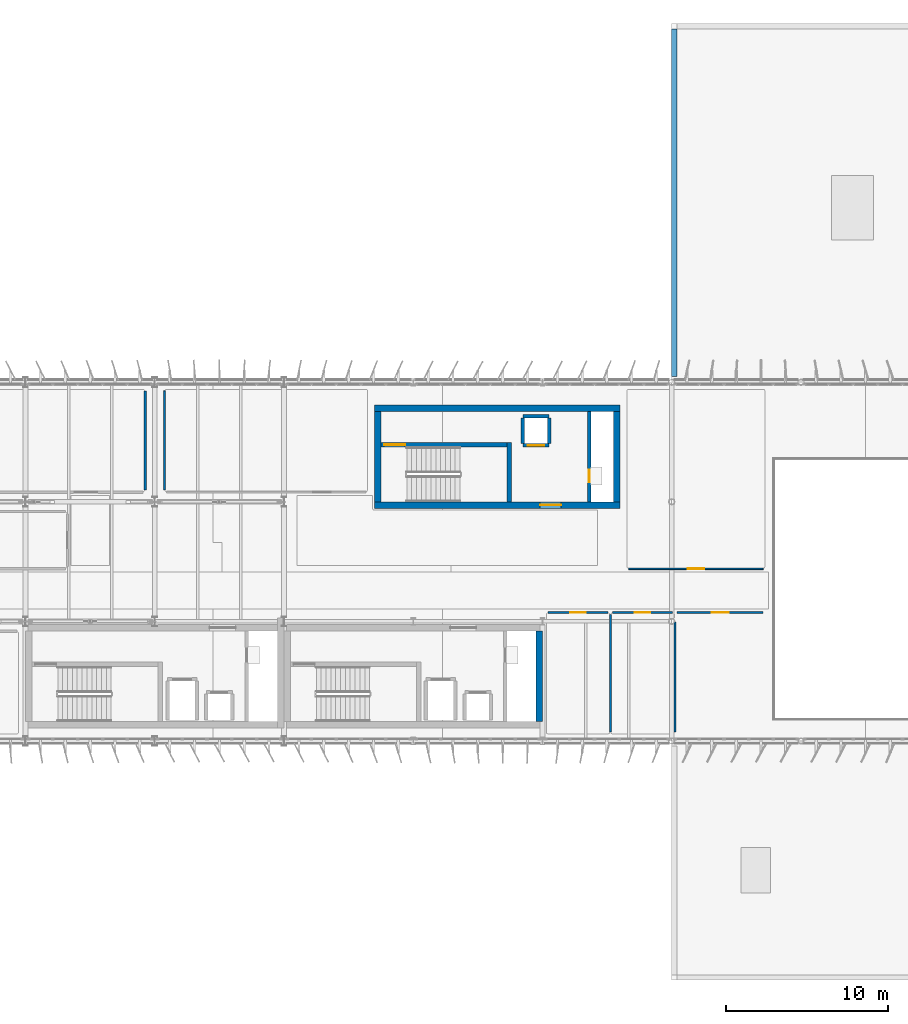
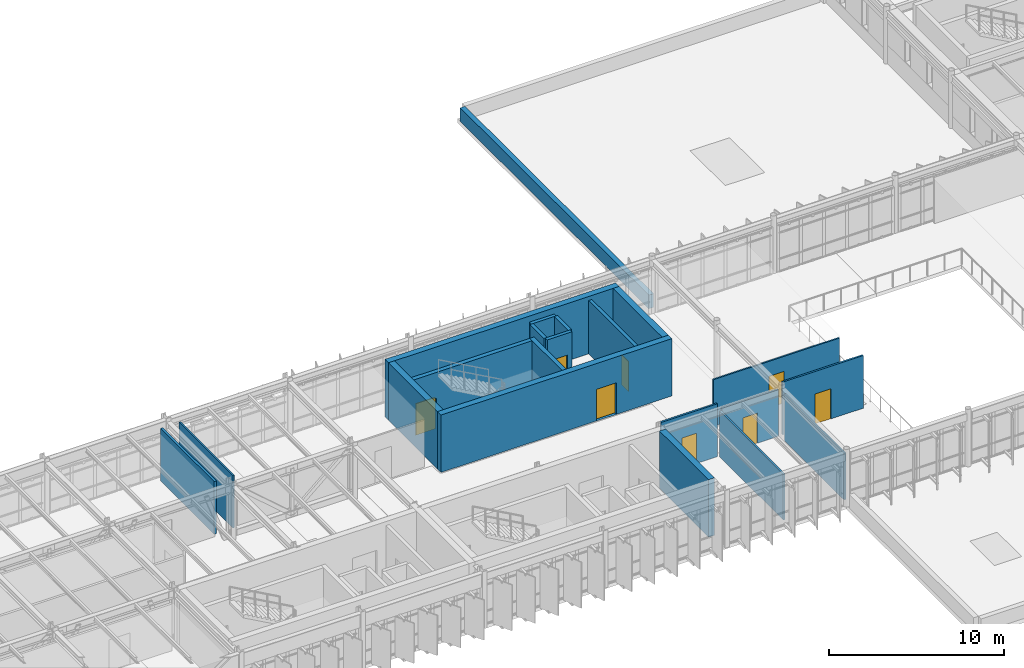
# One storey, part 38 of 56: 21 walls, 8 doors, 8 openings.
"""IFC4 building model written with IfcOpenShell, lengths in metres."""

from ifc_helpers import new_model, si_unit, direction, frame, frame_2d, origin, place, context, subcontext, project, spatial, rectangle, extrude, material, layer, layer_set, type_object, element, fill, save


model = new_model("IFC4")

# Units and contexts
model_context = context("Model", 3, precision=1e-05, world=origin(), true_north=direction((0.0, 1.0)))
body_context = subcontext(model_context, "Body", "Model", "MODEL_VIEW")
ifc_project = project(units=[si_unit("LENGTHUNIT", "METRE"), si_unit("AREAUNIT", "SQUARE_METRE"), si_unit("VOLUMEUNIT", "CUBIC_METRE"), si_unit("PLANEANGLEUNIT", "RADIAN"), si_unit("MASSUNIT", "GRAM", prefix="KILO")], contexts=[model_context])

# Site, building, storey
site_placement = place(None, origin())
site = spatial("IfcSite", under=ifc_project, at=site_placement, CompositionType="ELEMENT")
building_placement = place(site_placement, origin())
building = spatial("IfcBuilding", under=site, at=building_placement, Name="Valkorina Park Police Headquarters", CompositionType="ELEMENT")
storey_placement = place(building_placement, frame((0.0, 0.0, 14.10009765625)))
storey = spatial("IfcBuildingStorey", under=building, at=storey_placement, Name="L04", CompositionType="ELEMENT", Elevation=14.10009765625)

# Wall
ifc_material_1 = material(Name="Acoustic mineral board")
ifc_layer_1 = layer(ifc_material_1, 0.14990234375)
ifc_layer_set_1 = layer_set([ifc_layer_1], Name="Acoustic mineral board")
wall_type_1 = type_object("IfcWallType", Name="WL-ACOUST-150-EI30", PredefinedType="PARTITIONING", material=ifc_layer_set_1)
wall_1_placement = place(storey_placement, frame((24.199951171875, 52.5400390625, 0.0), z_axis=(0.0, 0.0, 1.0), x_axis=(0.0, 1.0, 0.0)))
element("IfcWall", 1, at=wall_1_placement, inside=storey, type_object=wall_type_1, Name="L04 Interior Partition 0193 (L04-V5-CANT-N)", PredefinedType="PARTITIONING", context=body_context, shape_type="SweptSolid", body=[
    extrude(rectangle(XDim=6.119873046875, YDim=0.14990234375, at=frame_2d((3.06005859375, 0.0))), origin(), (0.0, 0.0, 1.0), 3.669921875),
])

# Wall, opening, door
ifc_material_2 = material(Name="Autoclaved aerated concrete masonry", Category="masonry")
ifc_layer_2 = layer(ifc_material_2, 0.219970703125)
ifc_layer_set_2 = layer_set([ifc_layer_2], Name="Autoclaved aerated concrete masonry")
wall_type_2 = type_object("IfcWallType", Name="WL-CHASE-220-EI60", PredefinedType="PLUMBINGWALL", material=ifc_layer_set_2)
wall_2_placement = place(storey_placement, frame((47.590087890625, 55.2900390625, 0.0), z_axis=(0.0, 0.0, 1.0), x_axis=(1.0, 0.0, 0.0)))
wall_2 = element("IfcWall", 2, at=wall_2_placement, inside=storey, type_object=wall_type_2, Name="Lift LF-05 L04 Shaft Front Wall", PredefinedType="PLUMBINGWALL", context=body_context, shape_type="SweptSolid", body=[
    extrude(rectangle(XDim=1.619873046875, YDim=0.219970703125, at=frame_2d((0.81005859375, 0.0))), origin(), (0.0, 0.0, 1.0), 3.719970703125),
])
opening_1_placement = place(wall_2_placement, frame((0.31005859375, 0.0, 0.0)))
opening_1 = element("IfcOpeningElement", 3, at=opening_1_placement, cuts=wall_2, Name="Opening LD-02", PredefinedType="OPENING", context=body_context, shape_type="SweptSolid", body=[
    extrude(rectangle(XDim=1.0, YDim=2.199951171875, at=frame_2d((0.5, 1.10009765625))), frame((0.0, 0.1201171875, 0.0), z_axis=(0.0, -1.0, 0.0), x_axis=(1.0, 0.0, 0.0)), (0.0, 0.0, 1.0), 0.239990234375),
])
ifc_material_3 = material(Name="Stainless steel EN 1.4404", Category="steel")
ifc_layer_3 = layer(ifc_material_3, 0.050048828125)
ifc_layer_set_3 = layer_set([ifc_layer_3], Name="Stainless steel EN 1.4404")
door_type_1 = type_object("IfcDoorType", Name="DR-LIFT-PAX-1000x2200", OperationType="NOTDEFINED", PredefinedType="DOOR", material=ifc_layer_set_3)
door_1_placement = place(opening_1_placement, origin())
door_1 = element("IfcDoor", 4, at=door_1_placement, inside=storey, type_object=door_type_1, Name="Lift Landing Door LF-05-L04", OperationType="DOUBLE_DOOR_SLIDING", OverallHeight=2.199951171875, OverallWidth=1.0, PredefinedType="DOOR", context=body_context, shape_type="SweptSolid", body=[
    extrude(rectangle(XDim=1.0, YDim=2.199951171875, at=frame_2d((0.5, 1.10009765625))), frame((0.0, 0.02490234375, 0.0), z_axis=(0.0, -1.0, 0.0), x_axis=(1.0, 0.0, 0.0)), (0.0, 0.0, 1.0), 0.050048828125),
])
fill(opening_1, door_1)

# Walls
wall_3_placement = place(storey_placement, frame((47.590087890625, 57.110107421875, 0.0), z_axis=(0.0, 0.0, 1.0), x_axis=(1.0, 0.0, 0.0)))
element("IfcWall", 5, at=wall_3_placement, inside=storey, type_object=wall_type_2, Name="Lift LF-05 L04 Shaft Back Wall", PredefinedType="PLUMBINGWALL", context=body_context, shape_type="SweptSolid", body=[
    extrude(rectangle(XDim=1.619873046875, YDim=0.219970703125, at=frame_2d((0.81005859375, 0.0))), origin(), (0.0, 0.0, 1.0), 3.719970703125),
])
for number, where, z_axis, x_axis, name in (
    (6, (47.590087890625, 55.39990234375, 0.0), (0.0, 0.0, 1.0), (0.0, 1.0, 0.0), "Lift LF-05 L04 Shaft Side Wall W"),
    (7, (49.2099609375, 55.39990234375, 0.0), (0.0, 0.0, 1.0), (0.0, 1.0, 0.0), "Lift LF-05 L04 Shaft Side Wall E"),
):
    element("IfcWall", number, at=place(storey_placement, frame(where, z_axis=z_axis, x_axis=x_axis)), inside=storey, type_object=wall_type_2, Name=name, PredefinedType="PLUMBINGWALL", context=body_context, shape_type="SweptSolid", body=[
        extrude(rectangle(XDim=1.60009765625, YDim=0.219970703125, at=frame_2d((0.800048828125, 0.0))), origin(), (0.0, 0.0, 1.0), 3.719970703125),
    ])

# Wall, opening, door
wall_4_placement = place(storey_placement, frame((51.68994140625, 51.800048828125, 0.0), z_axis=(0.0, 0.0, 1.0), x_axis=(0.0, 1.0, 0.0)))
wall_4 = element("IfcWall", 8, at=wall_4_placement, inside=storey, type_object=wall_type_2, Name="Core C3 L04 Riser Shaft West Wall", PredefinedType="PLUMBINGWALL", context=body_context, shape_type="SweptSolid", body=[
    extrude(rectangle(XDim=5.599853515625, YDim=0.219970703125, at=frame_2d((2.7998046875, 0.0))), origin(), (0.0, 0.0, 1.0), 3.719970703125),
])
opening_2_placement = place(wall_4_placement, frame((1.199951171875, 0.0, 0.0)))
opening_2 = element("IfcOpeningElement", 9, at=opening_2_placement, cuts=wall_4, Name="Opening ID-01", PredefinedType="OPENING", context=body_context, shape_type="SweptSolid", body=[
    extrude(rectangle(XDim=0.800048828125, YDim=2.10009765625, at=frame_2d((0.39990234375, 1.050048828125))), frame((0.0, 0.1201171875, 0.0), z_axis=(0.0, -1.0, 0.0), x_axis=(1.0, 0.0, 0.0)), (0.0, 0.0, 1.0), 0.239990234375),
])
ifc_material_4 = material(Name="Galvanized steel door leaf", Category="steel")
ifc_layer_4 = layer(ifc_material_4, 0.050048828125)
ifc_layer_set_4 = layer_set([ifc_layer_4], Name="Galvanized steel door leaf")
door_type_2 = type_object("IfcDoorType", Name="DR-INT-RISER-800x2100", OperationType="NOTDEFINED", PredefinedType="DOOR", material=ifc_layer_set_4)
door_2_placement = place(opening_2_placement, origin())
door_2 = element("IfcDoor", 10, at=door_2_placement, inside=storey, type_object=door_type_2, Name="Riser Shaft Access Door C3-L04", OperationType="SINGLE_SWING_RIGHT", OverallHeight=2.10009765625, OverallWidth=0.800048828125, PredefinedType="DOOR", context=body_context, shape_type="SweptSolid", body=[
    extrude(rectangle(XDim=0.800048828125, YDim=2.10009765625, at=frame_2d((0.39990234375, 1.050048828125))), frame((0.0, 0.02490234375, 0.0), z_axis=(0.0, -1.0, 0.0), x_axis=(1.0, 0.0, 0.0)), (0.0, 0.0, 1.0), 0.050048828125),
])
fill(opening_2, door_2)

# Wall
ifc_material_5 = material(Name="Concrete C40/50", Category="concrete")
ifc_layer_5 = layer(ifc_material_5, 0.39990234375)
ifc_layer_set_5 = layer_set([ifc_layer_5], Name="Concrete C40/50")
wall_type_3 = type_object("IfcWallType", Name="WL-CORE-400-REI180", PredefinedType="SHEAR", material=ifc_layer_set_5)
wall_5_placement = place(storey_placement, frame((48.60009765625, 38.199951171875, 0.0), z_axis=(0.0, 0.0, 1.0), x_axis=(0.0, 1.0, 0.0)))
element("IfcWall", 11, at=wall_5_placement, inside=storey, type_object=wall_type_3, Name="Core C2 L04 Shear Wall E", PredefinedType="SHEAR", context=body_context, shape_type="SweptSolid", body=[
    extrude(rectangle(XDim=5.60009765625, YDim=0.39990234375, at=frame_2d((2.800048828125, 0.0))), origin(), (0.0, 0.0, 1.0), 3.994873046875),
])

# Wall, opening, door
wall_6_placement = place(storey_placement, frame((38.39990234375, 51.60009765625, 0.0), z_axis=(0.0, 0.0, 1.0), x_axis=(1.0, 0.0, 0.0)))
wall_6 = element("IfcWall", 12, at=wall_6_placement, inside=storey, type_object=wall_type_3, Name="Core C3 L04 Shear Wall S", PredefinedType="SHEAR", context=body_context, shape_type="SweptSolid", body=[
    extrude(rectangle(XDim=15.2001953125, YDim=0.39990234375, at=frame_2d((7.60009765625, 0.0))), origin(), (0.0, 0.0, 1.0), 3.994873046875),
])
opening_3_placement = place(wall_6_placement, frame((10.25, 0.0, 0.0)))
opening_3 = element("IfcOpeningElement", 13, at=opening_3_placement, cuts=wall_6, Name="Opening FD-03", PredefinedType="OPENING", context=body_context, shape_type="SweptSolid", body=[
    extrude(rectangle(XDim=1.300048828125, YDim=2.199951171875, at=frame_2d((0.64990234375, 1.10009765625))), frame((0.0, 0.2099609375, 0.0), z_axis=(0.0, -1.0, 0.0), x_axis=(1.0, 0.0, 0.0)), (0.0, 0.0, 1.0), 0.419921875),
])
ifc_layer_6 = layer(ifc_material_4, 0.050048828125)
ifc_layer_set_6 = layer_set([ifc_layer_6], Name="Galvanized steel door leaf")
door_type_3 = type_object("IfcDoorType", Name="DR-FIRE-STAIR-1300x2200", OperationType="NOTDEFINED", PredefinedType="DOOR", material=ifc_layer_set_6)
door_3_placement = place(opening_3_placement, origin())
door_3 = element("IfcDoor", 14, at=door_3_placement, inside=storey, type_object=door_type_3, Name="Door D-L04-LBY-C3 (Core C3 Lobby Fire Door)", OperationType="SINGLE_SWING_LEFT", OverallHeight=2.199951171875, OverallWidth=1.300048828125, PredefinedType="DOOR", context=body_context, shape_type="SweptSolid", body=[
    extrude(rectangle(XDim=1.300048828125, YDim=2.199951171875, at=frame_2d((0.64990234375, 1.10009765625))), frame((0.0, 0.02490234375, 0.0), z_axis=(0.0, -1.0, 0.0), x_axis=(1.0, 0.0, 0.0)), (0.0, 0.0, 1.0), 0.050048828125),
])
fill(opening_3, door_3)

# Walls
wall_7_placement = place(storey_placement, frame((38.39990234375, 57.60009765625, 0.0), z_axis=(0.0, 0.0, 1.0), x_axis=(1.0, 0.0, 0.0)))
element("IfcWall", 15, at=wall_7_placement, inside=storey, type_object=wall_type_3, Name="Core C3 L04 Shear Wall N", PredefinedType="SHEAR", context=body_context, shape_type="SweptSolid", body=[
    extrude(rectangle(XDim=15.2001953125, YDim=0.39990234375, at=frame_2d((7.60009765625, 0.0))), origin(), (0.0, 0.0, 1.0), 3.994873046875),
])
for number, where, z_axis, x_axis, name in (
    (16, (38.60009765625, 51.800048828125, 0.0), (0.0, 0.0, 1.0), (0.0, 1.0, 0.0), "Core C3 L04 Shear Wall W"),
    (17, (53.39990234375, 51.800048828125, 0.0), (0.0, 0.0, 1.0), (0.0, 1.0, 0.0), "Core C3 L04 Shear Wall E"),
):
    element("IfcWall", number, at=place(storey_placement, frame(where, z_axis=z_axis, x_axis=x_axis)), inside=storey, type_object=wall_type_3, Name=name, PredefinedType="SHEAR", context=body_context, shape_type="SweptSolid", body=[
        extrude(rectangle(XDim=5.599853515625, YDim=0.39990234375, at=frame_2d((2.7998046875, 0.0))), origin(), (0.0, 0.0, 1.0), 3.994873046875),
    ])
ifc_material_6 = material(Name="Precast concrete C40/50", Category="concrete")
ifc_layer_7 = layer(ifc_material_6, 0.320068359375)
ifc_layer_set_7 = layer_set([ifc_layer_7], Name="Precast concrete C40/50")
wall_type_4 = type_object("IfcWallType", Name="WL-PARAPET-320", PredefinedType="PARAPET", material=ifc_layer_set_7)
wall_8_placement = place(storey_placement, frame((56.9599609375, 59.56201171875, 0.0), z_axis=(0.0, 0.0, 1.0), x_axis=(0.0, 1.0, 0.0)))
element("IfcWall", 18, at=wall_8_placement, inside=storey, type_object=wall_type_4, Name="L04 Precast Roof Parapet 8", PredefinedType="PARAPET", context=body_context, shape_type="SweptSolid", body=[
    extrude(rectangle(XDim=21.51806640625, YDim=0.320068359375, at=frame_2d((10.759033203125, 0.0))), origin(), (0.0, 0.0, 1.0), 0.949951171875),
])
ifc_material_7 = material(Name="Gypsum plasterboard")
ifc_layer_8 = layer(ifc_material_7, 0.10009765625)
ifc_layer_set_8 = layer_set([ifc_layer_8], Name="Gypsum plasterboard")
wall_type_5 = type_object("IfcWallType", Name="WL-PART-100", PredefinedType="PARTITIONING", material=ifc_layer_set_8)
wall_9_placement = place(storey_placement, frame((25.39990234375, 52.5400390625, 0.0), z_axis=(0.0, 0.0, 1.0), x_axis=(0.0, 1.0, 0.0)))
element("IfcWall", 19, at=wall_9_placement, inside=storey, type_object=wall_type_5, Name="L04 Interior Partition 0195 (L04-V5-02)", PredefinedType="PARTITIONING", context=body_context, shape_type="SweptSolid", body=[
    extrude(rectangle(XDim=6.119873046875, YDim=0.10009765625, at=frame_2d((3.06005859375, 0.0))), origin(), (0.0, 0.0, 1.0), 3.669921875),
])

# Wall, opening, door
wall_10_placement = place(storey_placement, frame((54.139892578125, 47.64990234375, 0.0), z_axis=(0.0, 0.0, 1.0), x_axis=(1.0, 0.0, 0.0)))
wall_10 = element("IfcWall", 20, at=wall_10_placement, inside=storey, type_object=wall_type_5, Name="L04 Interior Partition 0201 (L04-V5-04)", PredefinedType="PARTITIONING", context=body_context, shape_type="SweptSolid", body=[
    extrude(rectangle(XDim=8.320068359375, YDim=0.10009765625, at=frame_2d((4.16015625, 0.0))), origin(), (0.0, 0.0, 1.0), 3.244873046875),
])
opening_4_placement = place(wall_10_placement, frame((3.659912109375, 0.0, 0.0)))
opening_4 = element("IfcOpeningElement", 21, at=opening_4_placement, cuts=wall_10, Name="Opening ID-04", PredefinedType="OPENING", context=body_context, shape_type="SweptSolid", body=[
    extrude(rectangle(XDim=1.0, YDim=2.199951171875, at=frame_2d((0.5, 1.10009765625))), frame((0.0, 0.06005859375, 0.0), z_axis=(0.0, -1.0, 0.0), x_axis=(1.0, 0.0, 0.0)), (0.0, 0.0, 1.0), 0.1201171875),
])
ifc_material_8 = material(Name="Thermally broken aluminium AW-6060", Category="aluminium")
ifc_layer_9 = layer(ifc_material_8, 0.050048828125)
ifc_layer_set_9 = layer_set([ifc_layer_9], Name="Thermally broken aluminium AW-6060")
door_type_4 = type_object("IfcDoorType", Name="DR-INT-OFF-1000x2200", OperationType="NOTDEFINED", PredefinedType="DOOR", material=ifc_layer_set_9)
door_4_placement = place(opening_4_placement, origin())
door_4 = element("IfcDoor", 22, at=door_4_placement, inside=storey, type_object=door_type_4, Name="Door D-L04-I095 (L04-V5-04)", OperationType="SINGLE_SWING_RIGHT", OverallHeight=2.199951171875, OverallWidth=1.0, PredefinedType="DOOR", context=body_context, shape_type="SweptSolid", body=[
    extrude(rectangle(XDim=1.0, YDim=2.199951171875, at=frame_2d((0.5, 1.10009765625))), frame((0.0, 0.02490234375, 0.0), z_axis=(0.0, -1.0, 0.0), x_axis=(1.0, 0.0, 0.0)), (0.0, 0.0, 1.0), 0.050048828125),
])
fill(opening_4, door_4)

ifc_layer_10 = layer(ifc_material_7, 0.125)
ifc_layer_set_10 = layer_set([ifc_layer_10], Name="Gypsum plasterboard")
wall_type_6 = type_object("IfcWallType", Name="WL-PART-125-EI30", PredefinedType="PARTITIONING", material=ifc_layer_set_10)
wall_11_placement = place(storey_placement, frame((49.139892578125, 44.949951171875, 0.0), z_axis=(0.0, 0.0, 1.0), x_axis=(1.0, 0.0, 0.0)))
wall_11 = element("IfcWall", 23, at=wall_11_placement, inside=storey, type_object=wall_type_6, Name="L04 Interior Partition 0196 (L04-WC-M)", PredefinedType="PARTITIONING", context=body_context, shape_type="SweptSolid", body=[
    extrude(rectangle(XDim=3.72021484375, YDim=0.125, at=frame_2d((1.860107421875, 0.0))), origin(), (0.0, 0.0, 1.0), 3.669921875),
])
opening_5_placement = place(wall_11_placement, frame((1.385009765625, 0.0, 0.0)))
opening_5 = element("IfcOpeningElement", 24, at=opening_5_placement, cuts=wall_11, Name="Opening ID-02", PredefinedType="OPENING", context=body_context, shape_type="SweptSolid", body=[
    extrude(rectangle(XDim=0.949951171875, YDim=2.10009765625, at=frame_2d((0.47509765625, 1.050048828125))), frame((0.0, 0.072509765625, 0.0), z_axis=(0.0, -1.0, 0.0), x_axis=(1.0, 0.0, 0.0)), (0.0, 0.0, 1.0), 0.14501953125),
])
ifc_layer_11 = layer(ifc_material_8, 0.050048828125)
ifc_layer_set_11 = layer_set([ifc_layer_11], Name="Thermally broken aluminium AW-6060")
door_type_5 = type_object("IfcDoorType", Name="DR-INT-WC-950x2100", OperationType="NOTDEFINED", PredefinedType="DOOR", material=ifc_layer_set_11)
door_5_placement = place(opening_5_placement, origin())
door_5 = element("IfcDoor", 25, at=door_5_placement, inside=storey, type_object=door_type_5, Name="Door D-L04-I092 (L04-WC-M)", OperationType="SINGLE_SWING_LEFT", OverallHeight=2.10009765625, OverallWidth=0.949951171875, PredefinedType="DOOR", context=body_context, shape_type="SweptSolid", body=[
    extrude(rectangle(XDim=0.949951171875, YDim=2.10009765625, at=frame_2d((0.47509765625, 1.050048828125))), frame((0.0, 0.02490234375, 0.0), z_axis=(0.0, -1.0, 0.0), x_axis=(1.0, 0.0, 0.0)), (0.0, 0.0, 1.0), 0.050048828125),
])
fill(opening_5, door_5)

# Wall
wall_12_placement = place(storey_placement, frame((53.0, 37.5400390625, 0.0), z_axis=(0.0, 0.0, 1.0), x_axis=(0.0, 1.0, 0.0)))
element("IfcWall", 26, at=wall_12_placement, inside=storey, type_object=wall_type_6, Name="L04 Interior Partition 0197 (L04-WC-M)", PredefinedType="PARTITIONING", context=body_context, shape_type="SweptSolid", body=[
    extrude(rectangle(XDim=7.27001953125, YDim=0.125, at=frame_2d((3.635009765625, 0.0))), origin(), (0.0, 0.0, 1.0), 3.184814453125),
])

# Wall, opening, door
wall_13_placement = place(storey_placement, frame((53.139892578125, 44.949951171875, 0.0), z_axis=(0.0, 0.0, 1.0), x_axis=(1.0, 0.0, 0.0)))
wall_13 = element("IfcWall", 27, at=wall_13_placement, inside=storey, type_object=wall_type_6, Name="L04 Interior Partition 0198 (L04-WC-F)", PredefinedType="PARTITIONING", context=body_context, shape_type="SweptSolid", body=[
    extrude(rectangle(XDim=3.72021484375, YDim=0.125, at=frame_2d((1.860107421875, 0.0))), origin(), (0.0, 0.0, 1.0), 3.244873046875),
])
opening_6_placement = place(wall_13_placement, frame((1.385009765625, 0.0, 0.0)))
opening_6 = element("IfcOpeningElement", 28, at=opening_6_placement, cuts=wall_13, Name="Opening ID-02", PredefinedType="OPENING", context=body_context, shape_type="SweptSolid", body=[
    extrude(rectangle(XDim=0.949951171875, YDim=2.10009765625, at=frame_2d((0.47509765625, 1.050048828125))), frame((0.0, 0.072509765625, 0.0), z_axis=(0.0, -1.0, 0.0), x_axis=(1.0, 0.0, 0.0)), (0.0, 0.0, 1.0), 0.14501953125),
])
door_6_placement = place(opening_6_placement, origin())
door_6 = element("IfcDoor", 29, at=door_6_placement, inside=storey, type_object=door_type_5, Name="Door D-L04-I093 (L04-WC-F)", OperationType="SINGLE_SWING_RIGHT", OverallHeight=2.10009765625, OverallWidth=0.949951171875, PredefinedType="DOOR", context=body_context, shape_type="SweptSolid", body=[
    extrude(rectangle(XDim=0.949951171875, YDim=2.10009765625, at=frame_2d((0.47509765625, 1.050048828125))), frame((0.0, 0.02490234375, 0.0), z_axis=(0.0, -1.0, 0.0), x_axis=(1.0, 0.0, 0.0)), (0.0, 0.0, 1.0), 0.050048828125),
])
fill(opening_6, door_6)

# Wall
wall_14_placement = place(storey_placement, frame((57.0, 37.5400390625, 0.0), z_axis=(0.0, 0.0, 1.0), x_axis=(0.0, 1.0, 0.0)))
element("IfcWall", 30, at=wall_14_placement, inside=storey, type_object=wall_type_6, Name="L04 Interior Partition 0199 (L04-WC-F)", PredefinedType="PARTITIONING", context=body_context, shape_type="SweptSolid", body=[
    extrude(rectangle(XDim=6.820068359375, YDim=0.125, at=frame_2d((3.41015625, 0.0))), origin(), (0.0, 0.0, 1.0), 3.244873046875),
])

# Wall, opening, door
wall_15_placement = place(storey_placement, frame((57.139892578125, 44.949951171875, 0.0), z_axis=(0.0, 0.0, 1.0), x_axis=(1.0, 0.0, 0.0)))
wall_15 = element("IfcWall", 31, at=wall_15_placement, inside=storey, type_object=wall_type_6, Name="L04 Interior Partition 0200 (L04-WC-A)", PredefinedType="PARTITIONING", context=body_context, shape_type="SweptSolid", body=[
    extrude(rectangle(XDim=5.320068359375, YDim=0.125, at=frame_2d((2.66015625, 0.0))), origin(), (0.0, 0.0, 1.0), 3.669921875),
])
opening_7_placement = place(wall_15_placement, frame((2.135009765625, 0.0, 0.0)))
opening_7 = element("IfcOpeningElement", 32, at=opening_7_placement, cuts=wall_15, Name="Opening ID-03", PredefinedType="OPENING", context=body_context, shape_type="SweptSolid", body=[
    extrude(rectangle(XDim=1.050048828125, YDim=2.10009765625, at=frame_2d((0.52490234375, 1.050048828125))), frame((0.0, 0.072509765625, 0.0), z_axis=(0.0, -1.0, 0.0), x_axis=(1.0, 0.0, 0.0)), (0.0, 0.0, 1.0), 0.14501953125),
])
ifc_layer_12 = layer(ifc_material_8, 0.050048828125)
ifc_layer_set_12 = layer_set([ifc_layer_12], Name="Thermally broken aluminium AW-6060")
door_type_6 = type_object("IfcDoorType", Name="DR-INT-ACC-1050x2100", OperationType="NOTDEFINED", PredefinedType="DOOR", material=ifc_layer_set_12)
door_7_placement = place(opening_7_placement, origin())
door_7 = element("IfcDoor", 33, at=door_7_placement, inside=storey, type_object=door_type_6, Name="Door D-L04-I094 (L04-WC-A)", OperationType="SINGLE_SWING_LEFT", OverallHeight=2.10009765625, OverallWidth=1.050048828125, PredefinedType="DOOR", context=body_context, shape_type="SweptSolid", body=[
    extrude(rectangle(XDim=1.050048828125, YDim=2.10009765625, at=frame_2d((0.52490234375, 1.050048828125))), frame((0.0, 0.02490234375, 0.0), z_axis=(0.0, -1.0, 0.0), x_axis=(1.0, 0.0, 0.0)), (0.0, 0.0, 1.0), 0.050048828125),
])
fill(opening_7, door_7)

# Wall
ifc_layer_13 = layer(ifc_material_5, 0.280029296875)
ifc_layer_set_13 = layer_set([ifc_layer_13], Name="Concrete C40/50")
wall_type_7 = type_object("IfcWallType", Name="WL-STAIR-280-REI120", PredefinedType="SHEAR", material=ifc_layer_set_13)
wall_16_placement = place(storey_placement, frame((46.739990234375, 51.800048828125, 0.0), z_axis=(0.0, 0.0, 1.0), x_axis=(0.0, 1.0, 0.0)))
element("IfcWall", 34, at=wall_16_placement, inside=storey, type_object=wall_type_7, Name="Core C3 L04 Shear Wall DIV", PredefinedType="SHEAR", context=body_context, shape_type="SweptSolid", body=[
    extrude(rectangle(XDim=3.679931640625, YDim=0.280029296875, at=frame_2d((1.83984375, 0.0))), origin(), (0.0, 0.0, 1.0), 3.994873046875),
])

# Wall, opening, door
wall_17_placement = place(storey_placement, frame((38.800048828125, 55.340087890625, 0.0), z_axis=(0.0, 0.0, 1.0), x_axis=(1.0, 0.0, 0.0)))
wall_17 = element("IfcWall", 35, at=wall_17_placement, inside=storey, type_object=wall_type_7, Name="Core C3 L04 Shear Wall SIDE", PredefinedType="SHEAR", context=body_context, shape_type="SweptSolid", body=[
    extrude(rectangle(XDim=7.800048828125, YDim=0.280029296875, at=frame_2d((3.89990234375, 0.0))), origin(), (0.0, 0.0, 1.0), 3.994873046875),
])
opening_8_placement = place(wall_17_placement, frame((0.199951171875, 0.0, 0.0)))
opening_8 = element("IfcOpeningElement", 36, at=opening_8_placement, cuts=wall_17, Name="Opening FD-03", PredefinedType="OPENING", context=body_context, shape_type="SweptSolid", body=[
    extrude(rectangle(XDim=1.300048828125, YDim=2.199951171875, at=frame_2d((0.64990234375, 1.10009765625))), frame((0.0, 0.14990234375, 0.0), z_axis=(0.0, -1.0, 0.0), x_axis=(1.0, 0.0, 0.0)), (0.0, 0.0, 1.0), 0.300048828125),
])
door_8_placement = place(opening_8_placement, origin())
door_8 = element("IfcDoor", 37, at=door_8_placement, inside=storey, type_object=door_type_3, Name="Door D-L04-C107 (ST-03 Stair Fire Door)", OperationType="SINGLE_SWING_RIGHT", OverallHeight=2.199951171875, OverallWidth=1.300048828125, PredefinedType="DOOR", context=body_context, shape_type="SweptSolid", body=[
    extrude(rectangle(XDim=1.300048828125, YDim=2.199951171875, at=frame_2d((0.64990234375, 1.10009765625))), frame((0.0, 0.02490234375, 0.0), z_axis=(0.0, -1.0, 0.0), x_axis=(1.0, 0.0, 0.0)), (0.0, 0.0, 1.0), 0.050048828125),
])
fill(opening_8, door_8)

save(model, "model.ifc")
